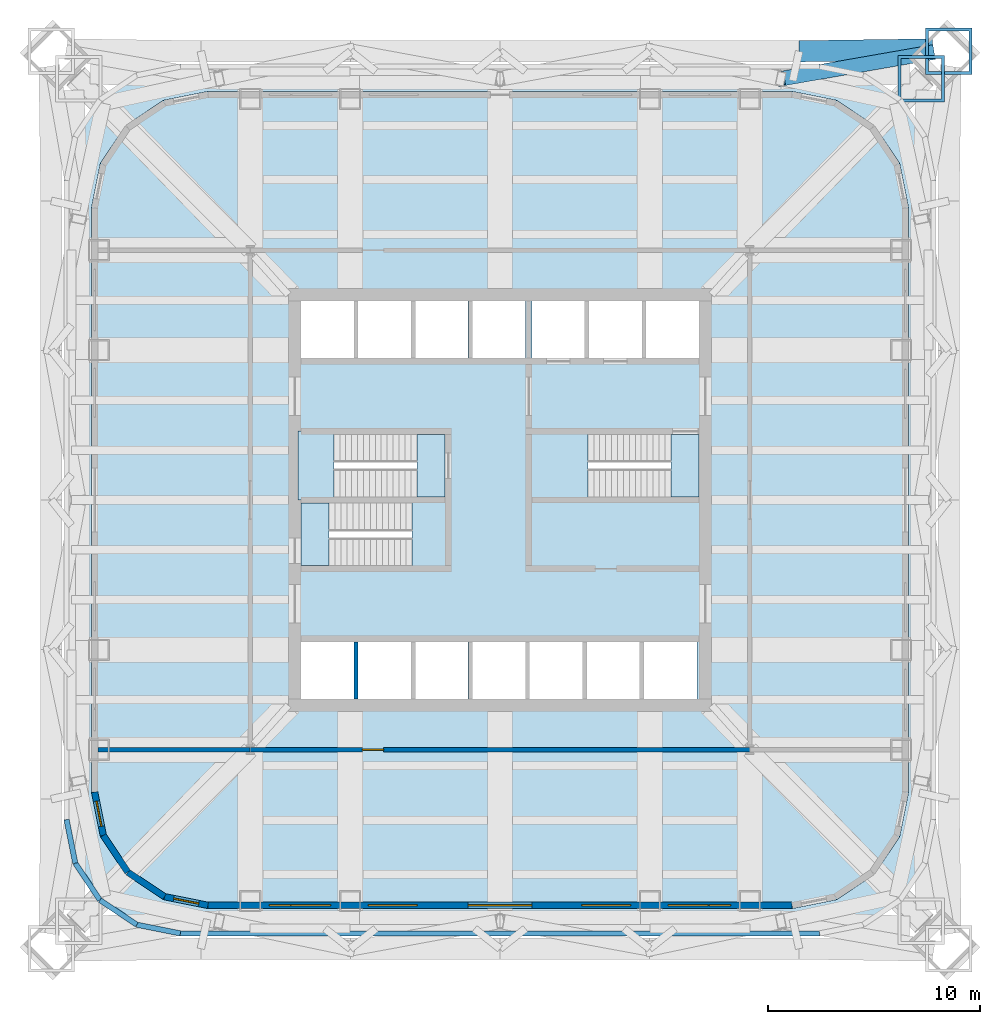
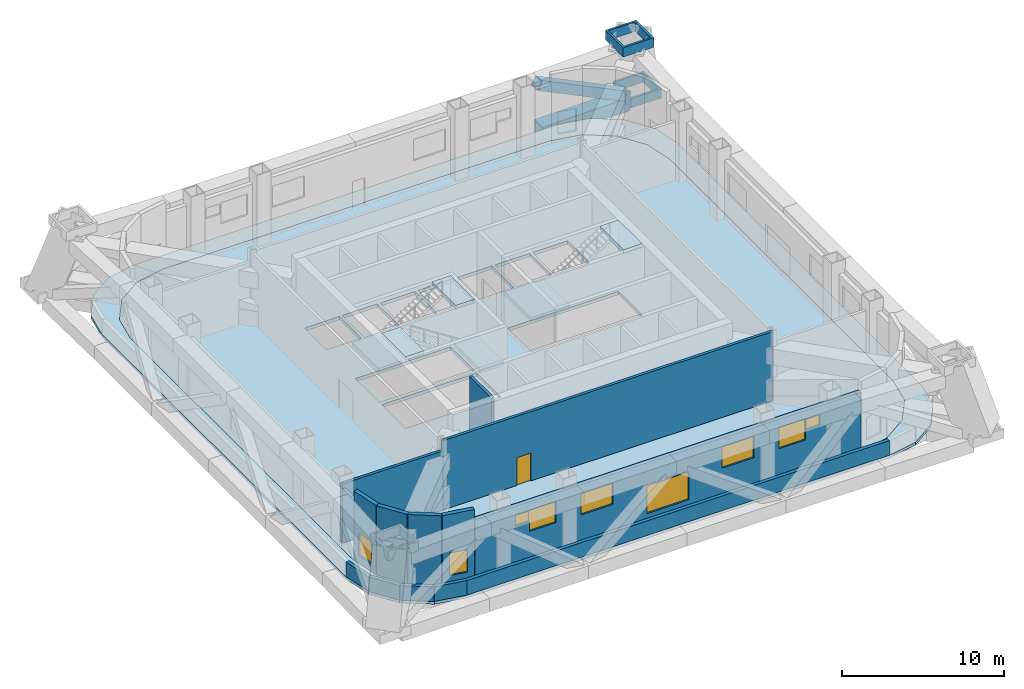
# One storey, part 4 of 9: 13 walls, 9 windows, 8 slabs, 3 members, 1 beam, 1 door, 10 openings, 3 elements without a shape of their own.
"""IFC4 building model written with IfcOpenShell, lengths in metres."""

from ifc_helpers import new_model, si_unit, direction, frame, frame_2d, origin, origin_2d, place, context, subcontext, project, spatial, polyline, rectangle, hollow_rectangle, outline, extrude, material, layer, layer_set, material_profile, profile_set, type_object, element, fill, aggregate, save


model = new_model("IFC4")

# Units and contexts
model_context = context("Model", 3, precision=1e-05, world=origin(), true_north=direction((0.0, 1.0)))
body_context = subcontext(model_context, "Body", "Model", "MODEL_VIEW")
ifc_project = project(units=[si_unit("LENGTHUNIT", "METRE"), si_unit("AREAUNIT", "SQUARE_METRE"), si_unit("VOLUMEUNIT", "CUBIC_METRE"), si_unit("PLANEANGLEUNIT", "RADIAN"), si_unit("MASSUNIT", "GRAM", prefix="KILO")], contexts=[model_context])

# Site, building, storey
site_placement = place(None, origin())
site = spatial("IfcSite", under=ifc_project, at=site_placement, CompositionType="ELEMENT")
building_placement = place(site_placement, origin())
building = spatial("IfcBuilding", under=site, at=building_placement, Name="Turquesa Mirador Hotel Tower", CompositionType="ELEMENT")
storey_placement = place(building_placement, frame((0.0, 0.0, 156.39990234375)))
storey = spatial("IfcBuildingStorey", under=building, at=storey_placement, Name="L42", CompositionType="ELEMENT", Elevation=156.39990234375)

# Beam
ifc_material_1 = material(Name="Steel ASTM A572 Grade 50", Category="steel")
ifc_material_profile_1 = material_profile(ifc_material_1, hollow_rectangle(XDim=1.0, YDim=1.0, WallThickness=0.06005859375, at=origin_2d()), Name="BOX1000X1000X60")
ifc_profile_set_1 = profile_set([ifc_material_profile_1], Name="Steel ASTM A572 Grade 50")
beam_type = type_object("IfcBeamType", Name="BELT TRUSS CHORD BOX1000X1000X60", PredefinedType="BEAM", material=ifc_profile_set_1)
beam_placement = place(storey_placement, frame((69.13330078125, 66.199951171875, -0.427734375), z_axis=(0.999896969728, 0.014354439336, 0.0), x_axis=(-0.014354439336, 0.999896969728, 0.0)))
element("IfcBeam", 1, at=beam_placement, inside=storey, type_object=beam_type, Name="Belt truss bottom chord N", PredefinedType="BEAM", context=body_context, shape_type="SweptSolid", body=[
    extrude(hollow_rectangle(XDim=1.0, YDim=1.0, WallThickness=0.06005859375, at=origin_2d()), origin(), (0.0, 0.0, 1.0), 6.31005859375),
])

# Members
ifc_material_2 = material(Name="Steel ASTM A572 Grade 50", Category="steel")
ifc_material_profile_2 = material_profile(ifc_material_2, hollow_rectangle(XDim=0.699951171875, YDim=0.699951171875, WallThickness=0.044921875, at=origin_2d()), Name="BOX700X700X45")
ifc_profile_set_2 = profile_set([ifc_material_profile_2], Name="Steel ASTM A572 Grade 50")
member_type_1 = type_object("IfcMemberType", Name="BELT TRUSS DIAGONAL BOX700X700X45", PredefinedType="BRACE", material=ifc_profile_set_2)
member_placement = place(storey_placement, frame((68.2666015625, 64.89990234375, 4.2001953125), z_axis=(0.856833315101, 0.149584219093, -0.493417907591), x_axis=(-0.171976927021, 0.985100977856, 0.0)))
element("IfcMember", 2, at=member_placement, inside=storey, type_object=member_type_1, Name="Belt truss diagonal N", PredefinedType="BRACE", context=body_context, shape_type="SweptSolid", body=[
    extrude(hollow_rectangle(XDim=0.699951171875, YDim=0.699951171875, WallThickness=0.044921875, at=origin_2d()), origin(), (0.0, 0.0, 1.0), 8.253662109375),
])
ifc_material_3 = material(Name="Cast steel ASTM A958 Grade SC8620 Class 80/50", Category="steel")
ifc_material_profile_3 = material_profile(ifc_material_3, hollow_rectangle(XDim=2.199951171875, YDim=2.199951171875, WallThickness=0.14990234375, at=origin_2d()), Name="NODE2200X2200X150")
ifc_profile_set_3 = profile_set([ifc_material_profile_3], Name="Cast steel ASTM A958 Grade SC8620 Class 80/50")
member_type_2 = type_object("IfcMemberType", Name="MEGA COLUMN NODE NODE2200X2200X150", PredefinedType="USERDEFINED", material=ifc_profile_set_3)
for number, where, z_axis, x_axis, name in (
    (3, (76.199951171875, 66.199951171875, -0.20166015625), (0.0, 0.0, 1.0), (1.0, 0.0, 0.0), "Mega column node M1 base"),
    (4, (74.89990234375, 64.89990234375, 4.89013671875), (0.0, 0.0, 1.0), (1.0, 0.0, 0.0), "Mega column node M1 head"),
):
    element("IfcMember", number, at=place(storey_placement, frame(where, z_axis=z_axis, x_axis=x_axis)), inside=storey, type_object=member_type_2, Name=name, ObjectType="MEGA COLUMN NODE", PredefinedType="USERDEFINED", context=body_context, shape_type="SweptSolid", body=[
        extrude(hollow_rectangle(XDim=2.199951171875, YDim=2.199951171875, WallThickness=0.14990234375, at=origin_2d()), origin(), (0.0, 0.0, 1.0), 0.711669921875),
    ])

# Slabs
ifc_material_4 = material(Name="Concrete C35/45", Category="concrete")
ifc_layer_1 = layer(ifc_material_4, 0.25)
ifc_layer_set_1 = layer_set([ifc_layer_1], Name="PLANT FLOOR SLAB 250")
slab_type_1 = type_object("IfcSlabType", Name="PLANT FLOOR SLAB 250", PredefinedType="FLOOR", material=ifc_layer_set_1)
slab_1_placement = place(storey_placement, frame((0.0, 0.0, -0.25)))
element("IfcSlab", 5, at=slab_1_placement, inside=storey, type_object=slab_type_1, Name="Floor slab L42", PredefinedType="FLOOR", context=body_context, shape_type="SweptSolid", body=[
    extrude(outline(polyline([(68.800048828125, 25.699951171875), (70.90478515625, 26.11865234375), (72.689208984375, 27.310791015625), (73.88134765625, 29.09521484375), (74.300048828125, 31.199951171875), (74.300048828125, 58.800048828125), (73.88134765625, 60.90478515625), (72.689208984375, 62.689208984375), (70.90478515625, 63.88134765625), (68.800048828125, 64.300048828125), (41.199951171875, 64.300048828125), (39.09521484375, 63.88134765625), (37.310791015625, 62.689208984375), (36.11865234375, 60.90478515625), (35.699951171875, 58.800048828125), (35.699951171875, 31.199951171875), (36.11865234375, 29.09521484375), (37.310791015625, 27.310791015625), (39.09521484375, 26.11865234375), (41.199951171875, 25.699951171875), (68.800048828125, 25.699951171875)]), holes=[polyline([(45.60009765625, 51.699951171875), (48.10009765625, 51.699951171875), (48.10009765625, 54.39990234375), (45.60009765625, 54.39990234375), (45.60009765625, 51.699951171875)]), polyline([(48.300048828125, 51.699951171875), (50.800048828125, 51.699951171875), (50.800048828125, 54.39990234375), (48.300048828125, 54.39990234375), (48.300048828125, 51.699951171875)]), polyline([(51.0, 51.699951171875), (53.5, 51.699951171875), (53.5, 54.39990234375), (51.0, 54.39990234375), (51.0, 51.699951171875)]), polyline([(53.699951171875, 51.699951171875), (56.199951171875, 51.699951171875), (56.199951171875, 54.39990234375), (53.699951171875, 54.39990234375), (53.699951171875, 51.699951171875)]), polyline([(56.5, 51.699951171875), (59.0, 51.699951171875), (59.0, 54.39990234375), (56.5, 54.39990234375), (56.5, 51.699951171875)]), polyline([(59.199951171875, 51.699951171875), (61.699951171875, 51.699951171875), (61.699951171875, 54.39990234375), (59.199951171875, 54.39990234375), (59.199951171875, 51.699951171875)]), polyline([(45.60009765625, 35.60009765625), (48.10009765625, 35.60009765625), (48.10009765625, 38.300048828125), (45.60009765625, 38.300048828125), (45.60009765625, 35.60009765625)]), polyline([(48.300048828125, 35.60009765625), (50.800048828125, 35.60009765625), (50.800048828125, 38.300048828125), (48.300048828125, 38.300048828125), (48.300048828125, 35.60009765625)]), polyline([(51.0, 35.60009765625), (53.5, 35.60009765625), (53.5, 38.300048828125), (51.0, 38.300048828125), (51.0, 35.60009765625)]), polyline([(53.699951171875, 35.60009765625), (56.199951171875, 35.60009765625), (56.199951171875, 38.300048828125), (53.699951171875, 38.300048828125), (53.699951171875, 35.60009765625)]), polyline([(56.39990234375, 35.60009765625), (58.89990234375, 35.60009765625), (58.89990234375, 38.300048828125), (56.39990234375, 38.300048828125), (56.39990234375, 35.60009765625)]), polyline([(59.10009765625, 35.60009765625), (61.60009765625, 35.60009765625), (61.60009765625, 38.300048828125), (59.10009765625, 38.300048828125), (59.10009765625, 35.60009765625)]), polyline([(61.800048828125, 35.60009765625), (64.300048828125, 35.60009765625), (64.300048828125, 38.300048828125), (61.800048828125, 38.300048828125), (61.800048828125, 35.60009765625)]), polyline([(45.60009765625, 45.14990234375), (52.39990234375, 45.14990234375), (52.39990234375, 48.10009765625), (45.60009765625, 48.10009765625), (45.60009765625, 45.14990234375)]), polyline([(45.60009765625, 41.89990234375), (52.39990234375, 41.89990234375), (52.39990234375, 44.85009765625), (45.60009765625, 44.85009765625), (45.60009765625, 41.89990234375)]), polyline([(56.5, 45.14990234375), (64.39990234375, 45.14990234375), (64.39990234375, 48.10009765625), (56.5, 48.10009765625), (56.5, 45.14990234375)]), polyline([(61.89990234375, 51.699951171875), (64.39990234375, 51.699951171875), (64.39990234375, 54.39990234375), (61.89990234375, 54.39990234375), (61.89990234375, 51.699951171875)])]), origin(), (0.0, 0.0, 1.0), 0.25),
])
ifc_material_5 = material(Name="Concrete C35/45", Category="concrete")
ifc_layer_2 = layer(ifc_material_5, 0.219970703125)
ifc_layer_set_2 = layer_set([ifc_layer_2], Name="ROOF SLAB 220")
slab_type_2 = type_object("IfcSlabType", Name="ROOF SLAB 220", PredefinedType="ROOF", material=ifc_layer_set_2)
slab_2_placement = place(storey_placement, frame((0.0, 0.0, -0.219970703125)))
element("IfcSlab", 6, at=slab_2_placement, inside=storey, type_object=slab_type_2, Name="Maintenance roof L42", PredefinedType="ROOF", context=body_context, shape_type="SweptSolid", body=[
    extrude(outline(polyline([(70.10009765625, 24.39990234375), (72.204833984375, 24.818603515625), (73.989013671875, 26.010986328125), (75.181396484375, 27.795166015625), (75.60009765625, 29.89990234375), (75.60009765625, 60.10009765625), (75.181396484375, 62.204833984375), (73.989013671875, 63.989013671875), (72.204833984375, 65.181396484375), (70.10009765625, 65.60009765625), (39.89990234375, 65.60009765625), (37.795166015625, 65.181396484375), (36.010986328125, 63.989013671875), (34.818603515625, 62.204833984375), (34.39990234375, 60.10009765625), (34.39990234375, 29.89990234375), (34.818603515625, 27.795166015625), (36.010986328125, 26.010986328125), (37.795166015625, 24.818603515625), (39.89990234375, 24.39990234375), (70.10009765625, 24.39990234375)]), holes=[polyline([(68.800048828125, 25.699951171875), (70.90478515625, 26.11865234375), (72.689208984375, 27.310791015625), (73.88134765625, 29.09521484375), (74.300048828125, 31.199951171875), (74.300048828125, 58.800048828125), (73.88134765625, 60.90478515625), (72.689208984375, 62.689208984375), (70.90478515625, 63.88134765625), (68.800048828125, 64.300048828125), (41.199951171875, 64.300048828125), (39.09521484375, 63.88134765625), (37.310791015625, 62.689208984375), (36.11865234375, 60.90478515625), (35.699951171875, 58.800048828125), (35.699951171875, 31.199951171875), (36.11865234375, 29.09521484375), (37.310791015625, 27.310791015625), (39.09521484375, 26.11865234375), (41.199951171875, 25.699951171875), (68.800048828125, 25.699951171875)])]), origin(), (0.0, 0.0, 1.0), 0.219970703125),
])

# Stair, slabs
ifc_material_6 = material(Name="Concrete C35/45", Category="concrete")
stair_type = type_object("IfcStairType", Name="ESCAPE STAIR CORE", PredefinedType="HALF_TURN_STAIR", material=ifc_material_6)
stair_1_placement = place(storey_placement, origin())
stair_1 = element("IfcStair", 7, at=stair_1_placement, inside=storey, type_object=stair_type, Name="Stair ST1 L42 to L43", PredefinedType="HALF_TURN_STAIR")
ifc_material_7 = material(Name="Concrete C35/45", Category="concrete")
ifc_layer_3 = layer(ifc_material_7, 0.300048828125)
ifc_layer_set_3 = layer_set([ifc_layer_3], Name="STAIR LANDING 300")
slab_type_3 = type_object("IfcSlabType", Name="STAIR LANDING 300", PredefinedType="LANDING", material=ifc_layer_set_3)
slab_3_placement = place(storey_placement, frame((0.0, 0.0, 2.400146484375)))
slab_3 = element("IfcSlab", 8, at=slab_3_placement, type_object=slab_type_3, Name="ST1 landing 1", PredefinedType="LANDING", context=body_context, shape_type="SweptSolid", body=[
    extrude(outline(polyline([(45.449951171875, 45.0), (47.14990234375, 45.0), (47.14990234375, 48.25), (45.449951171875, 48.25), (45.449951171875, 45.0)])), origin(), (0.0, 0.0, 1.0), 0.300048828125),
])
slab_4_placement = place(storey_placement, frame((0.0, 0.0, 5.10009765625)))
slab_4 = element("IfcSlab", 9, at=slab_4_placement, type_object=slab_type_3, Name="ST1 landing 2", PredefinedType="LANDING", context=body_context, shape_type="SweptSolid", body=[
    extrude(outline(polyline([(51.070068359375, 45.14990234375), (52.39990234375, 45.14990234375), (52.39990234375, 48.10009765625), (51.070068359375, 48.10009765625), (51.070068359375, 45.14990234375)])), origin(), (0.0, 0.0, 1.0), 0.300048828125),
])
aggregate(stair_1, [slab_3, slab_4])

stair_2_placement = place(storey_placement, origin())
stair_2 = element("IfcStair", 10, at=stair_2_placement, inside=storey, type_object=stair_type, Name="Stair ST2 L42 to L43", PredefinedType="HALF_TURN_STAIR")
slab_5_placement = place(storey_placement, frame((0.0, 0.0, 2.400146484375)))
slab_5 = element("IfcSlab", 11, at=slab_5_placement, type_object=slab_type_3, Name="ST2 landing 1", PredefinedType="LANDING", context=body_context, shape_type="SweptSolid", body=[
    extrude(outline(polyline([(52.550048828125, 45.0), (50.85009765625, 45.0), (50.85009765625, 41.75), (52.550048828125, 41.75), (52.550048828125, 45.0)])), origin(), (0.0, 0.0, 1.0), 0.300048828125),
])
slab_6_placement = place(storey_placement, frame((0.0, 0.0, 5.10009765625)))
slab_6 = element("IfcSlab", 12, at=slab_6_placement, type_object=slab_type_3, Name="ST2 landing 2", PredefinedType="LANDING", context=body_context, shape_type="SweptSolid", body=[
    extrude(outline(polyline([(46.929931640625, 44.85009765625), (45.60009765625, 44.85009765625), (45.60009765625, 41.89990234375), (46.929931640625, 41.89990234375), (46.929931640625, 44.85009765625)])), origin(), (0.0, 0.0, 1.0), 0.300048828125),
])
aggregate(stair_2, [slab_5, slab_6])

stair_3_placement = place(storey_placement, origin())
stair_3 = element("IfcStair", 13, at=stair_3_placement, inside=storey, type_object=stair_type, Name="Stair ST3 L42 to L43", PredefinedType="HALF_TURN_STAIR")
slab_7_placement = place(storey_placement, frame((0.0, 0.0, 2.400146484375)))
slab_7 = element("IfcSlab", 14, at=slab_7_placement, type_object=slab_type_3, Name="ST3 landing 1", PredefinedType="LANDING", context=body_context, shape_type="SweptSolid", body=[
    extrude(outline(polyline([(56.35009765625, 45.0), (59.14990234375, 45.0), (59.14990234375, 48.25), (56.35009765625, 48.25), (56.35009765625, 45.0)])), origin(), (0.0, 0.0, 1.0), 0.300048828125),
])
slab_8_placement = place(storey_placement, frame((0.0, 0.0, 5.10009765625)))
slab_8 = element("IfcSlab", 15, at=slab_8_placement, type_object=slab_type_3, Name="ST3 landing 2", PredefinedType="LANDING", context=body_context, shape_type="SweptSolid", body=[
    extrude(outline(polyline([(63.070068359375, 45.14990234375), (64.39990234375, 45.14990234375), (64.39990234375, 48.10009765625), (63.070068359375, 48.10009765625), (63.070068359375, 45.14990234375)])), origin(), (0.0, 0.0, 1.0), 0.300048828125),
])
aggregate(stair_3, [slab_7, slab_8])

# Wall, opening, door
ifc_material_8 = material(Name="Fire-rated gypsum board on steel studs", Category="steel")
ifc_layer_4 = layer(ifc_material_8, 0.199951171875)
ifc_layer_set_4 = layer_set([ifc_layer_4], Name="CORRIDOR WALL 200")
wall_type_1 = type_object("IfcWallType", Name="CORRIDOR WALL 200", PredefinedType="PARTITIONING", material=ifc_layer_set_4)
wall_1_placement = place(storey_placement, frame((43.199951171875, 33.199951171875, 0.0), z_axis=(0.0, 0.0, 1.0), x_axis=(1.0, 0.0, 0.0)))
wall_1 = element("IfcWall", 16, at=wall_1_placement, inside=storey, type_object=wall_type_1, Name="Partition L42 001", PredefinedType="PARTITIONING", context=body_context, shape_type="SweptSolid", body=[
    extrude(rectangle(XDim=23.60009765625, YDim=0.199951171875, at=frame_2d((11.800048828125, 0.0))), origin(), (0.0, 0.0, 1.0), 5.22998046875),
])
opening_1_placement = place(wall_1_placement, frame((5.300048828125, 0.0, 0.0)))
opening_1 = element("IfcOpeningElement", 17, at=opening_1_placement, cuts=wall_1, Name="Opening D05", PredefinedType="OPENING", context=body_context, shape_type="SweptSolid", body=[
    extrude(rectangle(XDim=1.0, YDim=2.10009765625, at=frame_2d((0.5, 1.050048828125))), frame((0.0, 0.10986328125, 0.0), z_axis=(0.0, -1.0, 0.0), x_axis=(1.0, 0.0, 0.0)), (0.0, 0.0, 1.0), 0.219970703125),
])
ifc_material_9 = material(Name="Steel fire door", Category="steel")
door_type = type_object("IfcDoorType", Name="DOOR 1000X2100 SERVICE", OperationType="SINGLE_SWING_LEFT", PredefinedType="DOOR", material=ifc_material_9)
door_placement = place(opening_1_placement, origin())
door = element("IfcDoor", 18, at=door_placement, inside=storey, type_object=door_type, Name="Door L42-02", OperationType="SINGLE_SWING_LEFT", OverallHeight=2.10009765625, OverallWidth=1.0, PredefinedType="DOOR", context=body_context, shape_type="SweptSolid", body=[
    extrude(rectangle(XDim=1.0, YDim=2.10009765625, at=frame_2d((0.5, 1.050048828125))), frame((0.0, 0.02490234375, 0.0), z_axis=(0.0, -1.0, 0.0), x_axis=(1.0, 0.0, 0.0)), (0.0, 0.0, 1.0), 0.050048828125),
])
fill(opening_1, door)

# Walls
ifc_material_10 = material(Name="Fire-rated gypsum board on steel studs", Category="steel")
ifc_layer_5 = layer(ifc_material_10, 0.199951171875)
ifc_layer_set_5 = layer_set([ifc_layer_5], Name="FIRE PARTITION 200")
wall_type_2 = type_object("IfcWallType", Name="FIRE PARTITION 200", PredefinedType="PARTITIONING", material=ifc_layer_set_5)
wall_2_placement = place(storey_placement, frame((36.0, 33.199951171875, 0.0), z_axis=(0.0, 0.0, 1.0), x_axis=(1.0, 0.0, 0.0)))
element("IfcWall", 19, at=wall_2_placement, inside=storey, type_object=wall_type_2, Name="Partition L42 002", PredefinedType="PARTITIONING", context=body_context, shape_type="SweptSolid", body=[
    extrude(rectangle(XDim=7.199951171875, YDim=0.199951171875, at=frame_2d((3.60009765625, 0.0))), origin(), (0.0, 0.0, 1.0), 4.47314453125),
])
ifc_material_11 = material(Name="Fire-rated gypsum shaft wall on steel studs", Category="steel")
ifc_layer_6 = layer(ifc_material_11, 0.199951171875)
ifc_layer_set_6 = layer_set([ifc_layer_6], Name="LIFT SHAFT DIVIDER 200")
wall_type_3 = type_object("IfcWallType", Name="LIFT SHAFT DIVIDER 200", PredefinedType="PARTITIONING", material=ifc_layer_set_6)
wall_3_placement = place(storey_placement, frame((48.199951171875, 35.60009765625, 0.0), z_axis=(0.0, 0.0, 1.0), x_axis=(0.0, 1.0, 0.0)))
element("IfcWall", 20, at=wall_3_placement, inside=storey, type_object=wall_type_3, Name="Lift shaft divider", PredefinedType="PARTITIONING", context=body_context, shape_type="SweptSolid", body=[
    extrude(rectangle(XDim=2.699951171875, YDim=0.199951171875, at=frame_2d((1.35009765625, 0.0))), origin(), (0.0, 0.0, 1.0), 5.22998046875),
])

# Wall, opening, window
ifc_material_12 = material(Name="Limestone cladding on concrete block", Category="masonry")
ifc_layer_7 = layer(ifc_material_12, 0.300048828125)
ifc_layer_set_7 = layer_set([ifc_layer_7], Name="LOUVRE WALL 300 STONE")
wall_type_4 = type_object("IfcWallType", Name="LOUVRE WALL 300 STONE", PredefinedType="SOLIDWALL", material=ifc_layer_set_7)
wall_4_placement = place(storey_placement, frame((35.85009765625, 31.199951171875, 0.0), z_axis=(0.0, 0.0, 1.0), x_axis=(0.195081421501, -0.980787050784, 0.0)))
wall_4 = element("IfcWall", 21, at=wall_4_placement, inside=storey, type_object=wall_type_4, Name="Facade wall L42 15", PredefinedType="SOLIDWALL", context=body_context, shape_type="SweptSolid", body=[
    extrude(rectangle(XDim=2.08740234375, YDim=0.300048828125, at=frame_2d((1.043701171875, 0.0))), origin(), (0.0, 0.0, 1.0), 5.22998046875),
])
opening_2_placement = place(wall_4_placement, frame((0.443603515625, 0.0, 0.60009765625)))
opening_2 = element("IfcOpeningElement", 22, at=opening_2_placement, cuts=wall_4, Name="Opening LV8", PredefinedType="OPENING", context=body_context, shape_type="SweptSolid", body=[
    extrude(rectangle(XDim=1.199951171875, YDim=1.699951171875, at=frame_2d((0.60009765625, 0.85009765625))), frame((0.0, 0.159912109375, 0.0), z_axis=(0.0, -1.0, 0.0), x_axis=(1.0, 0.0, 0.0)), (0.0, 0.0, 1.0), 0.320068359375),
])
ifc_material_13 = material(Name="Aluminium extrusion", Category="aluminium")
window_type_1 = type_object("IfcWindowType", Name="PLANT LOUVRE 1200X1700", PartitioningType="SINGLE_PANEL", PredefinedType="USERDEFINED", material=ifc_material_13)
window_1_placement = place(opening_2_placement, origin())
window_1 = element("IfcWindow", 23, at=window_1_placement, inside=storey, type_object=window_type_1, Name="Window L42", ObjectType="LOUVRE", OverallHeight=1.699951171875, OverallWidth=1.199951171875, PartitioningType="SINGLE_PANEL", PredefinedType="USERDEFINED", context=body_context, shape_type="SweptSolid", body=[
    extrude(rectangle(XDim=1.199951171875, YDim=1.699951171875, at=frame_2d((0.60009765625, 0.85009765625))), frame((0.0, 0.030029296875, 0.0), z_axis=(0.0, -1.0, 0.0), x_axis=(1.0, 0.0, 0.0)), (0.0, 0.0, 1.0), 0.06005859375),
])
fill(opening_2, window_1)

# Walls
for number, where, z_axis, x_axis, name in (
    (24, (36.25732421875, 29.152587890625, 0.0), (0.0, 0.0, 1.0), (0.555563607591, -0.831474039234, 0.0), "Facade wall L42 16"),
    (25, (37.4169921875, 27.4169921875, 0.0), (0.0, 0.0, 1.0), (0.831474039234, -0.555563607591, 0.0), "Facade wall L42 17"),
):
    element("IfcWall", number, at=place(storey_placement, frame(where, z_axis=z_axis, x_axis=x_axis)), inside=storey, type_object=wall_type_4, Name=name, PredefinedType="SOLIDWALL", context=body_context, shape_type="SweptSolid", body=[
        extrude(rectangle(XDim=2.08740234375, YDim=0.300048828125, at=frame_2d((1.043701171875, 0.0))), origin(), (0.0, 0.0, 1.0), 5.22998046875),
    ])

# Wall, opening, window
wall_5_placement = place(storey_placement, frame((39.152587890625, 26.25732421875, 0.0), z_axis=(0.0, 0.0, 1.0), x_axis=(0.980787050784, -0.195081421501, 0.0)))
wall_5 = element("IfcWall", 26, at=wall_5_placement, inside=storey, type_object=wall_type_4, Name="Facade wall L42 18", PredefinedType="SOLIDWALL", context=body_context, shape_type="SweptSolid", body=[
    extrude(rectangle(XDim=2.08740234375, YDim=0.300048828125, at=frame_2d((1.043701171875, 0.0))), origin(), (0.0, 0.0, 1.0), 5.22998046875),
])
opening_3_placement = place(wall_5_placement, frame((0.443603515625, 0.0, 0.60009765625)))
opening_3 = element("IfcOpeningElement", 27, at=opening_3_placement, cuts=wall_5, Name="Opening LV8", PredefinedType="OPENING", context=body_context, shape_type="SweptSolid", body=[
    extrude(rectangle(XDim=1.199951171875, YDim=1.699951171875, at=frame_2d((0.60009765625, 0.85009765625))), frame((0.0, 0.159912109375, 0.0), z_axis=(0.0, -1.0, 0.0), x_axis=(1.0, 0.0, 0.0)), (0.0, 0.0, 1.0), 0.320068359375),
])
window_2_placement = place(opening_3_placement, origin())
window_2 = element("IfcWindow", 28, at=window_2_placement, inside=storey, type_object=window_type_1, Name="Window L42", ObjectType="LOUVRE", OverallHeight=1.699951171875, OverallWidth=1.199951171875, PartitioningType="SINGLE_PANEL", PredefinedType="USERDEFINED", context=body_context, shape_type="SweptSolid", body=[
    extrude(rectangle(XDim=1.199951171875, YDim=1.699951171875, at=frame_2d((0.60009765625, 0.85009765625))), frame((0.0, 0.030029296875, 0.0), z_axis=(0.0, -1.0, 0.0), x_axis=(1.0, 0.0, 0.0)), (0.0, 0.0, 1.0), 0.06005859375),
])
fill(opening_3, window_2)

# Wall, openings, windows
wall_6_placement = place(storey_placement, frame((41.199951171875, 25.85009765625, 0.0), z_axis=(0.0, 0.0, 1.0), x_axis=(1.0, 0.0, 0.0)))
wall_6 = element("IfcWall", 29, at=wall_6_placement, inside=storey, type_object=wall_type_4, Name="Facade wall L42 19", PredefinedType="SOLIDWALL", context=body_context, shape_type="SweptSolid", body=[
    extrude(rectangle(XDim=27.60009765625, YDim=0.300048828125, at=frame_2d((13.800048828125, 0.0))), origin(), (0.0, 0.0, 1.0), 4.43017578125),
])
opening_4_placement = place(wall_6_placement, frame((3.909912109375, 0.0, 2.199951171875)))
opening_4 = element("IfcOpeningElement", 30, at=opening_4_placement, cuts=wall_6, Name="Opening LV11", PredefinedType="OPENING", context=body_context, shape_type="SweptSolid", body=[
    extrude(rectangle(XDim=1.89990234375, YDim=1.60009765625, at=frame_2d((0.949951171875, 0.800048828125))), frame((0.0, 0.159912109375, 0.0), z_axis=(0.0, -1.0, 0.0), x_axis=(1.0, 0.0, 0.0)), (0.0, 0.0, 1.0), 0.320068359375),
])
opening_5_placement = place(wall_6_placement, frame((7.580078125, 0.0, 2.14990234375)))
opening_5 = element("IfcOpeningElement", 31, at=opening_5_placement, cuts=wall_6, Name="Opening LV13", PredefinedType="OPENING", context=body_context, shape_type="SweptSolid", body=[
    extrude(rectangle(XDim=2.300048828125, YDim=1.60009765625, at=frame_2d((1.14990234375, 0.800048828125))), frame((0.0, 0.159912109375, 0.0), z_axis=(0.0, -1.0, 0.0), x_axis=(1.0, 0.0, 0.0)), (0.0, 0.0, 1.0), 0.320068359375),
])
opening_6_placement = place(wall_6_placement, frame((12.300048828125, 0.0, 0.60009765625)))
opening_6 = element("IfcOpeningElement", 32, at=opening_6_placement, cuts=wall_6, Name="Opening LV17", PredefinedType="OPENING", context=body_context, shape_type="SweptSolid", body=[
    extrude(rectangle(XDim=3.0, YDim=2.10009765625, at=frame_2d((1.5, 1.050048828125))), frame((0.0, 0.159912109375, 0.0), z_axis=(0.0, -1.0, 0.0), x_axis=(1.0, 0.0, 0.0)), (0.0, 0.0, 1.0), 0.320068359375),
])
opening_7_placement = place(wall_6_placement, frame((17.669921875, 0.0, 2.14990234375)))
opening_7 = element("IfcOpeningElement", 33, at=opening_7_placement, cuts=wall_6, Name="Opening LV13", PredefinedType="OPENING", context=body_context, shape_type="SweptSolid", body=[
    extrude(rectangle(XDim=2.300048828125, YDim=1.60009765625, at=frame_2d((1.14990234375, 0.800048828125))), frame((0.0, 0.159912109375, 0.0), z_axis=(0.0, -1.0, 0.0), x_axis=(1.0, 0.0, 0.0)), (0.0, 0.0, 1.0), 0.320068359375),
])
opening_8_placement = place(wall_6_placement, frame((21.739990234375, 0.0, 2.199951171875)))
opening_8 = element("IfcOpeningElement", 34, at=opening_8_placement, cuts=wall_6, Name="Opening LV11", PredefinedType="OPENING", context=body_context, shape_type="SweptSolid", body=[
    extrude(rectangle(XDim=1.89990234375, YDim=1.60009765625, at=frame_2d((0.949951171875, 0.800048828125))), frame((0.0, 0.159912109375, 0.0), z_axis=(0.0, -1.0, 0.0), x_axis=(1.0, 0.0, 0.0)), (0.0, 0.0, 1.0), 0.320068359375),
])
opening_9_placement = place(wall_6_placement, frame((2.909912109375, 0.0, 2.949951171875)))
opening_9 = element("IfcOpeningElement", 35, at=opening_9_placement, cuts=wall_6, Name="Opening LV4", PredefinedType="OPENING", context=body_context, shape_type="SweptSolid", body=[
    extrude(rectangle(XDim=1.0, YDim=0.800048828125, at=frame_2d((0.5, 0.39990234375))), frame((0.0, 0.159912109375, 0.0), z_axis=(0.0, -1.0, 0.0), x_axis=(1.0, 0.0, 0.0)), (0.0, 0.0, 1.0), 0.320068359375),
])
opening_10_placement = place(wall_6_placement, frame((23.68994140625, 0.0, 2.949951171875)))
opening_10 = element("IfcOpeningElement", 36, at=opening_10_placement, cuts=wall_6, Name="Opening LV4", PredefinedType="OPENING", context=body_context, shape_type="SweptSolid", body=[
    extrude(rectangle(XDim=1.0, YDim=0.800048828125, at=frame_2d((0.5, 0.39990234375))), frame((0.0, 0.159912109375, 0.0), z_axis=(0.0, -1.0, 0.0), x_axis=(1.0, 0.0, 0.0)), (0.0, 0.0, 1.0), 0.320068359375),
])
ifc_material_14 = material(Name="Aluminium extrusion", Category="aluminium")
window_type_2 = type_object("IfcWindowType", Name="PLANT LOUVRE 1000X800", PartitioningType="SINGLE_PANEL", PredefinedType="USERDEFINED", material=ifc_material_14)
window_3_placement = place(opening_9_placement, origin())
window_3 = element("IfcWindow", 37, at=window_3_placement, inside=storey, type_object=window_type_2, Name="Window L42", ObjectType="LOUVRE", OverallHeight=0.800048828125, OverallWidth=1.0, PartitioningType="SINGLE_PANEL", PredefinedType="USERDEFINED", context=body_context, shape_type="SweptSolid", body=[
    extrude(rectangle(XDim=1.0, YDim=0.800048828125, at=frame_2d((0.5, 0.39990234375))), frame((0.0, 0.030029296875, 0.0), z_axis=(0.0, -1.0, 0.0), x_axis=(1.0, 0.0, 0.0)), (0.0, 0.0, 1.0), 0.06005859375),
])
fill(opening_9, window_3)
window_4_placement = place(opening_10_placement, origin())
window_4 = element("IfcWindow", 38, at=window_4_placement, inside=storey, type_object=window_type_2, Name="Window L42", ObjectType="LOUVRE", OverallHeight=0.800048828125, OverallWidth=1.0, PartitioningType="SINGLE_PANEL", PredefinedType="USERDEFINED", context=body_context, shape_type="SweptSolid", body=[
    extrude(rectangle(XDim=1.0, YDim=0.800048828125, at=frame_2d((0.5, 0.39990234375))), frame((0.0, 0.030029296875, 0.0), z_axis=(0.0, -1.0, 0.0), x_axis=(1.0, 0.0, 0.0)), (0.0, 0.0, 1.0), 0.06005859375),
])
fill(opening_10, window_4)
ifc_material_15 = material(Name="Aluminium extrusion", Category="aluminium")
window_type_3 = type_object("IfcWindowType", Name="PLANT LOUVRE 1900X1600", PartitioningType="SINGLE_PANEL", PredefinedType="USERDEFINED", material=ifc_material_15)
window_5_placement = place(opening_4_placement, origin())
window_5 = element("IfcWindow", 39, at=window_5_placement, inside=storey, type_object=window_type_3, Name="Window L42", ObjectType="LOUVRE", OverallHeight=1.60009765625, OverallWidth=1.89990234375, PartitioningType="SINGLE_PANEL", PredefinedType="USERDEFINED", context=body_context, shape_type="SweptSolid", body=[
    extrude(rectangle(XDim=1.89990234375, YDim=1.60009765625, at=frame_2d((0.949951171875, 0.800048828125))), frame((0.0, 0.030029296875, 0.0), z_axis=(0.0, -1.0, 0.0), x_axis=(1.0, 0.0, 0.0)), (0.0, 0.0, 1.0), 0.06005859375),
])
fill(opening_4, window_5)
window_6_placement = place(opening_8_placement, origin())
window_6 = element("IfcWindow", 40, at=window_6_placement, inside=storey, type_object=window_type_3, Name="Window L42", ObjectType="LOUVRE", OverallHeight=1.60009765625, OverallWidth=1.89990234375, PartitioningType="SINGLE_PANEL", PredefinedType="USERDEFINED", context=body_context, shape_type="SweptSolid", body=[
    extrude(rectangle(XDim=1.89990234375, YDim=1.60009765625, at=frame_2d((0.949951171875, 0.800048828125))), frame((0.0, 0.030029296875, 0.0), z_axis=(0.0, -1.0, 0.0), x_axis=(1.0, 0.0, 0.0)), (0.0, 0.0, 1.0), 0.06005859375),
])
fill(opening_8, window_6)
ifc_material_16 = material(Name="Aluminium extrusion", Category="aluminium")
window_type_4 = type_object("IfcWindowType", Name="PLANT LOUVRE 2300X1600", PartitioningType="SINGLE_PANEL", PredefinedType="USERDEFINED", material=ifc_material_16)
window_7_placement = place(opening_5_placement, origin())
window_7 = element("IfcWindow", 41, at=window_7_placement, inside=storey, type_object=window_type_4, Name="Window L42", ObjectType="LOUVRE", OverallHeight=1.60009765625, OverallWidth=2.300048828125, PartitioningType="SINGLE_PANEL", PredefinedType="USERDEFINED", context=body_context, shape_type="SweptSolid", body=[
    extrude(rectangle(XDim=2.300048828125, YDim=1.60009765625, at=frame_2d((1.14990234375, 0.800048828125))), frame((0.0, 0.030029296875, 0.0), z_axis=(0.0, -1.0, 0.0), x_axis=(1.0, 0.0, 0.0)), (0.0, 0.0, 1.0), 0.06005859375),
])
fill(opening_5, window_7)
window_8_placement = place(opening_7_placement, origin())
window_8 = element("IfcWindow", 42, at=window_8_placement, inside=storey, type_object=window_type_4, Name="Window L42", ObjectType="LOUVRE", OverallHeight=1.60009765625, OverallWidth=2.300048828125, PartitioningType="SINGLE_PANEL", PredefinedType="USERDEFINED", context=body_context, shape_type="SweptSolid", body=[
    extrude(rectangle(XDim=2.300048828125, YDim=1.60009765625, at=frame_2d((1.14990234375, 0.800048828125))), frame((0.0, 0.030029296875, 0.0), z_axis=(0.0, -1.0, 0.0), x_axis=(1.0, 0.0, 0.0)), (0.0, 0.0, 1.0), 0.06005859375),
])
fill(opening_7, window_8)
ifc_material_17 = material(Name="Aluminium extrusion", Category="aluminium")
window_type_5 = type_object("IfcWindowType", Name="PLANT LOUVRE 3000X2100", PartitioningType="SINGLE_PANEL", PredefinedType="USERDEFINED", material=ifc_material_17)
window_9_placement = place(opening_6_placement, origin())
window_9 = element("IfcWindow", 43, at=window_9_placement, inside=storey, type_object=window_type_5, Name="Window L42", ObjectType="LOUVRE", OverallHeight=2.10009765625, OverallWidth=3.0, PartitioningType="SINGLE_PANEL", PredefinedType="USERDEFINED", context=body_context, shape_type="SweptSolid", body=[
    extrude(rectangle(XDim=3.0, YDim=2.10009765625, at=frame_2d((1.5, 1.050048828125))), frame((0.0, 0.030029296875, 0.0), z_axis=(0.0, -1.0, 0.0), x_axis=(1.0, 0.0, 0.0)), (0.0, 0.0, 1.0), 0.06005859375),
])
fill(opening_6, window_9)

# Walls
ifc_material_18 = material(Name="Limestone cladding on concrete block", Category="masonry")
ifc_layer_8 = layer(ifc_material_18, 0.25)
ifc_layer_set_8 = layer_set([ifc_layer_8], Name="PARAPET 250 STONE")
wall_type_5 = type_object("IfcWallType", Name="PARAPET 250 STONE", PredefinedType="PARAPET", material=ifc_layer_set_8)
for number, where, z_axis, x_axis, name in (
    (44, (34.52490234375, 29.89990234375, 0.0), (0.0, 0.0, 1.0), (0.195108609271, -0.980781642665, 0.0), "Maintenance roof parapet L42"),
    (45, (34.93408203125, 27.843017578125, 0.0), (0.0, 0.0, 1.0), (0.555640102334, -0.831422922873, 0.0), "Maintenance roof parapet L42"),
    (46, (36.099365234375, 26.099365234375, 0.0), (0.0, 0.0, 1.0), (0.831422922873, -0.555640102334, 0.0), "Maintenance roof parapet L42"),
    (47, (37.843017578125, 24.93408203125, 0.0), (0.0, 0.0, 1.0), (0.980781642665, -0.195108609271, 0.0), "Maintenance roof parapet L42"),
):
    element("IfcWall", number, at=place(storey_placement, frame(where, z_axis=z_axis, x_axis=x_axis)), inside=storey, type_object=wall_type_5, Name=name, PredefinedType="PARAPET", context=body_context, shape_type="SweptSolid", body=[
        extrude(rectangle(XDim=2.09716796875, YDim=0.25, at=frame_2d((1.048583984375, 0.0))), origin(), (0.0, 0.0, 1.0), 1.10009765625),
    ])
wall_7_placement = place(storey_placement, frame((39.89990234375, 24.52490234375, 0.0), z_axis=(0.0, 0.0, 1.0), x_axis=(1.0, 0.0, 0.0)))
element("IfcWall", 48, at=wall_7_placement, inside=storey, type_object=wall_type_5, Name="Maintenance roof parapet L42", PredefinedType="PARAPET", context=body_context, shape_type="SweptSolid", body=[
    extrude(rectangle(XDim=30.2001953125, YDim=0.25, at=frame_2d((15.10009765625, 0.0))), origin(), (0.0, 0.0, 1.0), 1.10009765625),
])

save(model, "model.ifc")
